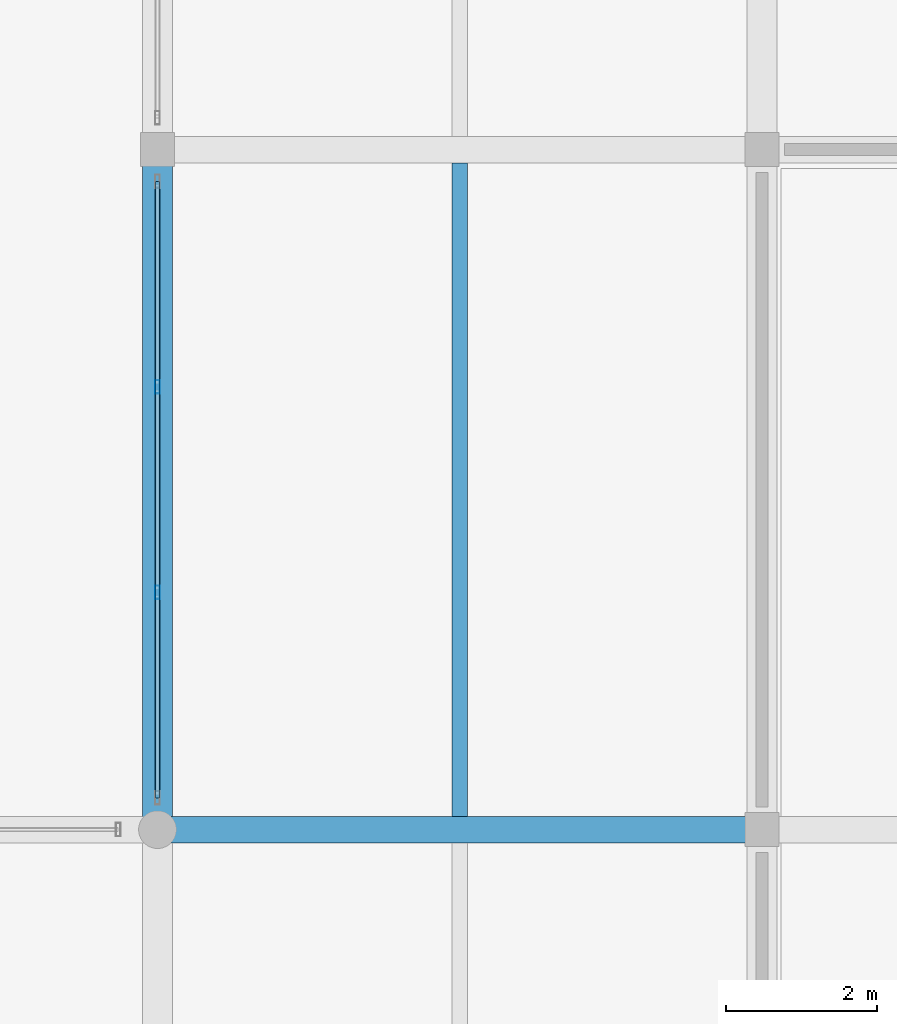
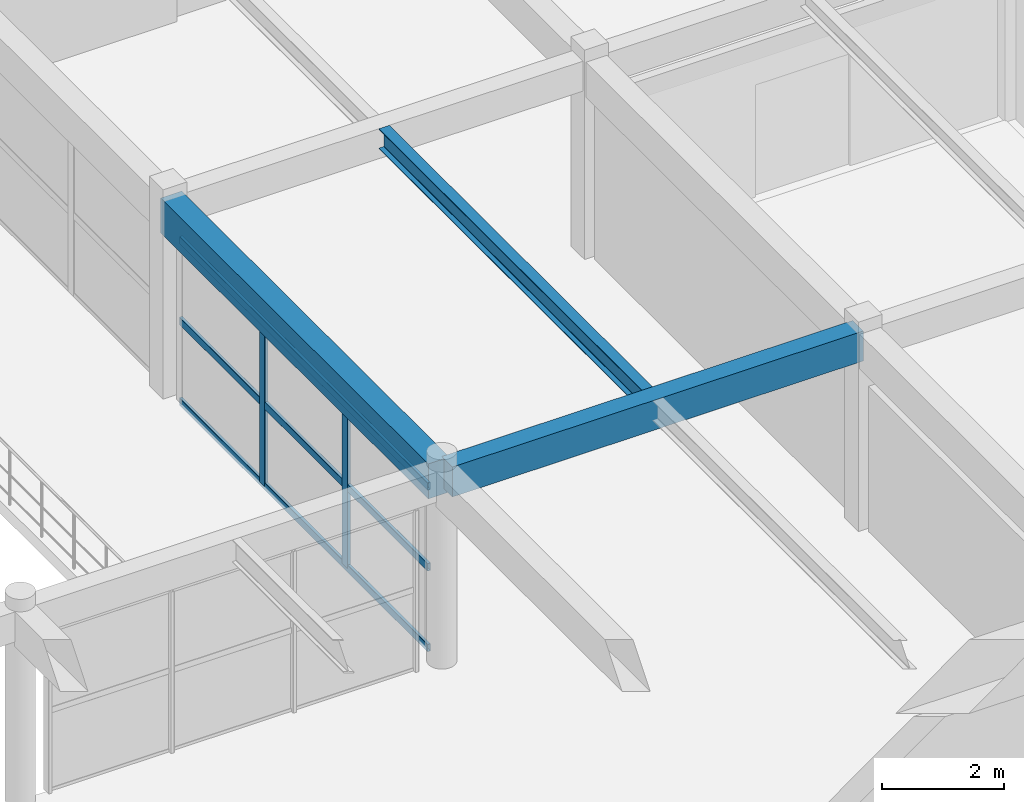
# One storey, part 51 of 126: 5 members, 3 beams, 1 element without a shape of its own.
"""IFC4 building model written with IfcOpenShell, lengths in metres."""

from ifc_helpers import new_model, si_unit, direction, frame, origin, origin_2d, place, context, subcontext, project, spatial, rectangle, hollow_rectangle, i_section, extrude, material, material_profile, profile_set, type_object, element, aggregate, save


model = new_model("IFC4")

# Units and contexts
model_context = context("Model", 3, precision=1e-05, world=origin(), true_north=direction((0.0, 1.0)))
body_context = subcontext(model_context, "Body", "Model", "MODEL_VIEW")
ifc_project = project(units=[si_unit("LENGTHUNIT", "METRE"), si_unit("AREAUNIT", "SQUARE_METRE"), si_unit("VOLUMEUNIT", "CUBIC_METRE"), si_unit("PLANEANGLEUNIT", "RADIAN"), si_unit("MASSUNIT", "GRAM", prefix="KILO")], contexts=[model_context])

# Site, building, storey
site_placement = place(None, origin())
site = spatial("IfcSite", under=ifc_project, at=site_placement, CompositionType="ELEMENT")
building_placement = place(site_placement, origin())
building = spatial("IfcBuilding", under=site, at=building_placement, Name="Varnabhumi Central Station", CompositionType="ELEMENT")
storey_placement = place(building_placement, frame((0.0, 0.0, 16.199951171875)))
storey = spatial("IfcBuildingStorey", under=building, at=storey_placement, Name="L03", CompositionType="ELEMENT", Elevation=16.199951171875)

# Beams
ifc_material_1 = material(Name="Concrete M40", Category="concrete")
ifc_material_profile_1 = material_profile(ifc_material_1, rectangle(XDim=0.35009765625, YDim=0.60009765625, at=origin_2d()), Name="Concrete M40", Category="concrete")
ifc_profile_set_1 = profile_set([ifc_material_profile_1], Name="Concrete M40")
beam_type_1 = type_object("IfcBeamType", Name="BM-RC-350x600", PredefinedType="BEAM", material=ifc_profile_set_1)
beam_1_placement = place(storey_placement, frame((80.10009765625, 89.0, 3.650146484375), z_axis=(1.0, 0.0, 0.0), x_axis=(0.0, 1.0, 0.0)))
element("IfcBeam", 1, at=beam_1_placement, inside=storey, type_object=beam_type_1, Name="Beam L03-L:11-12", PredefinedType="BEAM", context=body_context, shape_type="SweptSolid", body=[
    extrude(rectangle(XDim=0.35009765625, YDim=0.60009765625, at=origin_2d()), origin(), (0.0, 0.0, 1.0), 7.7998046875),
])
ifc_material_profile_2 = material_profile(ifc_material_1, rectangle(XDim=0.39990234375, YDim=0.699951171875, at=origin_2d()), Name="Concrete M40", Category="concrete")
ifc_profile_set_2 = profile_set([ifc_material_profile_2], Name="Concrete M40")
beam_type_2 = type_object("IfcBeamType", Name="BM-RC-700x400", PredefinedType="BEAM", material=ifc_profile_set_2)
beam_2_placement = place(storey_placement, frame((80.0, 89.10009765625, 3.60009765625), z_axis=(0.0, 1.0, 0.0), x_axis=(-1.0, 0.0, 0.0)))
element("IfcBeam", 2, at=beam_2_placement, inside=storey, type_object=beam_type_2, Name="Beam L03-11:L-M", PredefinedType="BEAM", context=body_context, shape_type="SweptSolid", body=[
    extrude(rectangle(XDim=0.39990234375, YDim=0.699951171875, at=origin_2d()), origin(), (0.0, 0.0, 1.0), 8.7998046875),
])
ifc_material_2 = material(Name="Structural steel E350", Category="steel")
ifc_material_profile_3 = material_profile(ifc_material_2, i_section(OverallWidth=0.199951171875, OverallDepth=0.39990234375, WebThickness=0.008544921875, FlangeThickness=0.012939453125, FilletRadius=0.012939453125, at=origin_2d()), Name="Structural steel E350", Category="steel")
ifc_profile_set_3 = profile_set([ifc_material_profile_3], Name="Structural steel E350")
beam_type_3 = type_object("IfcBeamType", Name="BM-SEC-ISWB400", PredefinedType="JOIST", material=ifc_profile_set_3)
beam_3_placement = place(storey_placement, frame((84.0, 89.175048828125, 3.75), z_axis=(0.0, 1.0, 0.0), x_axis=(-1.0, 0.0, 0.0)))
element("IfcBeam", 3, at=beam_3_placement, inside=storey, type_object=beam_type_3, Name="Secondary Joist L03-11/12:L-M", PredefinedType="JOIST", context=body_context, shape_type="SweptSolid", body=[
    extrude(i_section(OverallWidth=0.199951171875, OverallDepth=0.39990234375, WebThickness=0.008544921875, FlangeThickness=0.012939453125, FilletRadius=0.012939453125, at=origin_2d()), origin(), (0.0, 0.0, 1.0), 8.64990234375),
])

# Curtain wall, members
ifc_material_3 = material(Name="Anodised aluminium 6063-T6", Category="aluminium")
curtain_wall_type = type_object("IfcCurtainWallType", Name="CW-PATIO-LOGGIA-L3", PredefinedType="NOTDEFINED", material=ifc_material_3)
curtain_wall_placement = place(storey_placement, origin())
curtain_wall = element("IfcCurtainWall", 4, at=curtain_wall_placement, inside=storey, type_object=curtain_wall_type, Name="Curtain Wall CW-NP3W1", PredefinedType="NOTDEFINED")
ifc_material_profile_4 = material_profile(ifc_material_3, hollow_rectangle(XDim=0.06494140625, YDim=0.179931640625, WallThickness=0.00390625, InnerFilletRadius=0.001953125, OuterFilletRadius=0.006103515625, at=origin_2d()), Name="Anodised aluminium 6063-T6", Category="aluminium")
ifc_profile_set_4 = profile_set([ifc_material_profile_4], Name="Anodised aluminium 6063-T6")
member_type_1 = type_object("IfcMemberType", Name="CW-MUL-180", PredefinedType="MULLION", material=ifc_profile_set_4)
member_1_placement = place(storey_placement, frame((80.0, 92.139892578125, 0.0), z_axis=(0.0, 0.0, 1.0), x_axis=(1.0, 0.0, 0.0)))
member_1 = element("IfcMember", 5, at=member_1_placement, type_object=member_type_1, Name="Curtain Wall Mullion CW-NP3W1-M2", PredefinedType="MULLION", context=body_context, shape_type="SweptSolid", body=[
    extrude(hollow_rectangle(XDim=0.06494140625, YDim=0.179931640625, WallThickness=0.00390625, InnerFilletRadius=0.001953125, OuterFilletRadius=0.006103515625, at=origin_2d()), origin(), (0.0, 0.0, 1.0), 3.239990234375),
])
member_2_placement = place(storey_placement, frame((80.0, 94.860107421875, 0.0), z_axis=(0.0, 0.0, 1.0), x_axis=(1.0, 0.0, 0.0)))
member_2 = element("IfcMember", 6, at=member_2_placement, type_object=member_type_1, Name="Curtain Wall Mullion CW-NP3W1-M3", PredefinedType="MULLION", context=body_context, shape_type="SweptSolid", body=[
    extrude(hollow_rectangle(XDim=0.06494140625, YDim=0.179931640625, WallThickness=0.00390625, InnerFilletRadius=0.001953125, OuterFilletRadius=0.006103515625, at=origin_2d()), origin(), (0.0, 0.0, 1.0), 3.239990234375),
])
ifc_material_profile_5 = material_profile(ifc_material_3, hollow_rectangle(XDim=0.06005859375, YDim=0.14990234375, WallThickness=0.00390625, InnerFilletRadius=0.001953125, OuterFilletRadius=0.006103515625, at=origin_2d()), Name="Anodised aluminium 6063-T6", Category="aluminium")
ifc_profile_set_5 = profile_set([ifc_material_profile_5], Name="Anodised aluminium 6063-T6")
member_type_2 = type_object("IfcMemberType", Name="CW-TR-150", PredefinedType="USERDEFINED", material=ifc_profile_set_5)
member_3_placement = place(storey_placement, frame((80.0, 89.419921875, 0.0), z_axis=(0.0, 1.0, 0.0), x_axis=(-1.0, 0.0, 0.0)))
member_3 = element("IfcMember", 7, at=member_3_placement, type_object=member_type_2, Name="Curtain Wall Transom CW-NP3W1-T1", ObjectType="TRANSOM", PredefinedType="USERDEFINED", context=body_context, shape_type="SweptSolid", body=[
    extrude(hollow_rectangle(XDim=0.06005859375, YDim=0.14990234375, WallThickness=0.00390625, InnerFilletRadius=0.001953125, OuterFilletRadius=0.006103515625, at=origin_2d()), origin(), (0.0, 0.0, 1.0), 8.16015625),
])
member_4_placement = place(storey_placement, frame((80.0, 89.419921875, 1.6201171875), z_axis=(0.0, 1.0, 0.0), x_axis=(-1.0, 0.0, 0.0)))
member_4 = element("IfcMember", 8, at=member_4_placement, type_object=member_type_2, Name="Curtain Wall Transom CW-NP3W1-T2", ObjectType="TRANSOM", PredefinedType="USERDEFINED", context=body_context, shape_type="SweptSolid", body=[
    extrude(hollow_rectangle(XDim=0.06005859375, YDim=0.14990234375, WallThickness=0.00390625, InnerFilletRadius=0.001953125, OuterFilletRadius=0.006103515625, at=origin_2d()), origin(), (0.0, 0.0, 1.0), 8.16015625),
])
member_5_placement = place(storey_placement, frame((80.0, 89.419921875, 3.239990234375), z_axis=(0.0, 1.0, 0.0), x_axis=(-1.0, 0.0, 0.0)))
member_5 = element("IfcMember", 9, at=member_5_placement, type_object=member_type_2, Name="Curtain Wall Transom CW-NP3W1-T3", ObjectType="TRANSOM", PredefinedType="USERDEFINED", context=body_context, shape_type="SweptSolid", body=[
    extrude(hollow_rectangle(XDim=0.06005859375, YDim=0.14990234375, WallThickness=0.00390625, InnerFilletRadius=0.001953125, OuterFilletRadius=0.006103515625, at=origin_2d()), origin(), (0.0, 0.0, 1.0), 8.16015625),
])
aggregate(curtain_wall, [member_1, member_2, member_3, member_4, member_5])

save(model, "model.ifc")
